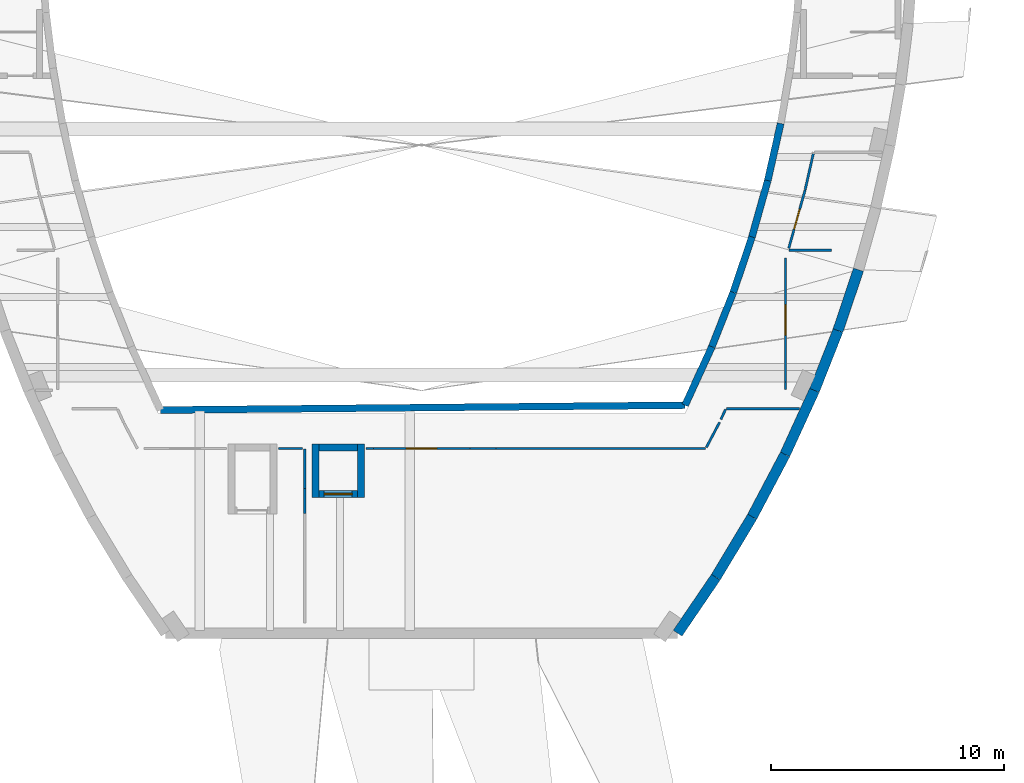
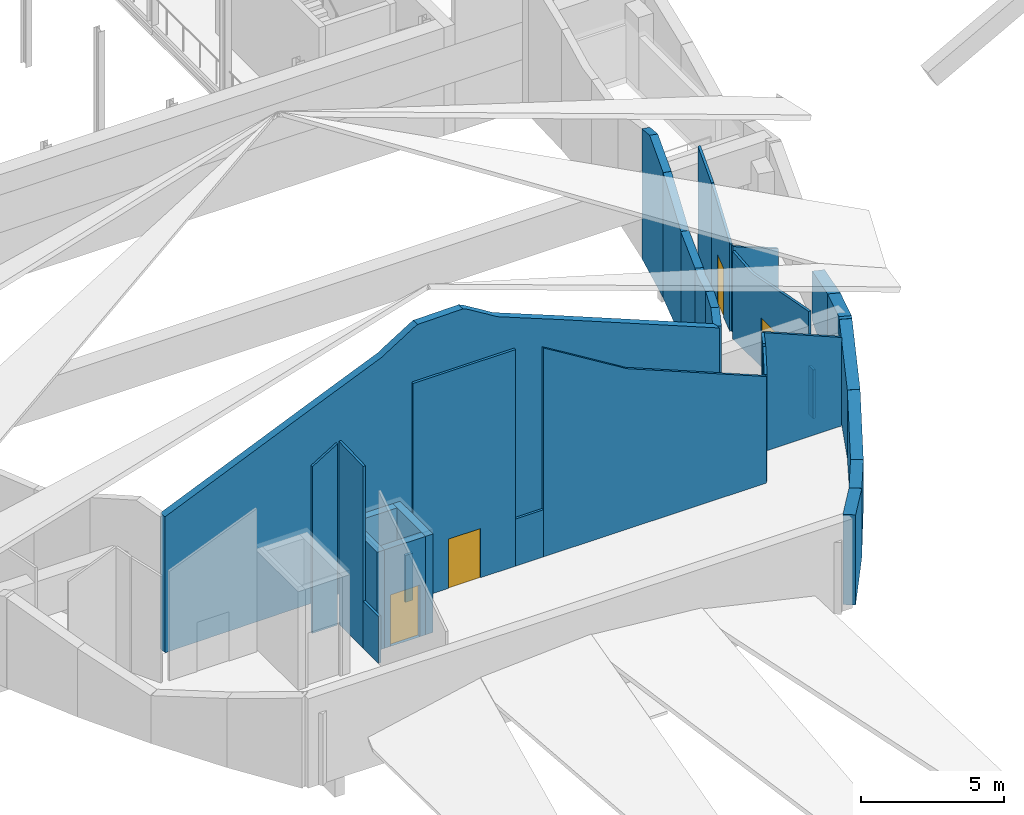
# One storey, part 13 of 17: 31 walls, 4 doors, 4 openings.
"""IFC4 building model written with IfcOpenShell, lengths in metres."""

from ifc_helpers import new_model, si_unit, direction, frame, frame_2d, origin, place, context, subcontext, project, spatial, polyline, rectangle, outline, extrude, material, layer, layer_set, type_object, element, fill, save


model = new_model("IFC4")

# Units and contexts
model_context = context("Model", 3, precision=1e-05, world=origin(), true_north=direction((0.0, 1.0)))
body_context = subcontext(model_context, "Body", "Model", "MODEL_VIEW")
ifc_project = project(units=[si_unit("LENGTHUNIT", "METRE"), si_unit("AREAUNIT", "SQUARE_METRE"), si_unit("VOLUMEUNIT", "CUBIC_METRE"), si_unit("PLANEANGLEUNIT", "RADIAN"), si_unit("MASSUNIT", "GRAM", prefix="KILO")], contexts=[model_context])

# Site, building, storey
site_placement = place(None, origin())
site = spatial("IfcSite", under=ifc_project, at=site_placement, CompositionType="ELEMENT")
building_placement = place(site_placement, origin())
building = spatial("IfcBuilding", under=site, at=building_placement, Name="Tide Square Theatres", CompositionType="ELEMENT")
storey_placement = place(building_placement, frame((0.0, 0.0, 14.800048828125)))
storey = spatial("IfcBuildingStorey", under=building, at=storey_placement, Name="L03", CompositionType="ELEMENT", Elevation=14.800048828125)

# Walls
ifc_material_1 = material(Name="Gypsum board on steel studs", Category="steel")
ifc_layer_1 = layer(ifc_material_1, 0.10009765625)
ifc_layer_set_1 = layer_set([ifc_layer_1], Name="Gypsum board on steel studs")
wall_type_1 = type_object("IfcWallType", Name="Partition 100 thick", PredefinedType="PARTITIONING", material=ifc_layer_set_1)
wall_1_placement = place(storey_placement, frame((77.8701171875, 31.5, 0.0), z_axis=(0.0, 0.0, 1.0), x_axis=(1.0, 0.0, 0.0)))
element("IfcWall", 1, at=wall_1_placement, inside=storey, type_object=wall_type_1, Name="Partition", PredefinedType="PARTITIONING", context=body_context, shape_type="SweptSolid", body=[
    extrude(outline(polyline([(0.0, 0.0), (1.017578125, 0.0), (1.01806640625, 7.73193359375), (0.762939453125, 7.575927734375), (0.509033203125, 7.419921875), (0.25390625, 7.263916015625), (0.0, 7.10791015625), (0.0, 0.0)])), frame((0.0, 0.050048828125, 0.0), z_axis=(0.0, -1.0, 0.0), x_axis=(1.0, 0.0, 0.0)), (0.0, 0.0, 1.0), 0.10009765625),
])
wall_2_placement = place(storey_placement, frame((79.0, 31.47998046875, 0.0), z_axis=(0.0, 0.0, 1.0), x_axis=(0.0, -1.0, 0.0)))
element("IfcWall", 2, at=wall_2_placement, inside=storey, type_object=wall_type_1, Name="Partition", PredefinedType="PARTITIONING", context=body_context, shape_type="SweptSolid", body=[
    extrude(outline(polyline([(0.0, 0.0), (1.69921875, 0.0), (1.698974609375, 7.7490234375), (1.416015625, 7.759033203125), (1.133056640625, 7.77001953125), (0.85009765625, 7.780029296875), (0.56591796875, 7.787841796875), (0.282958984375, 7.7939453125), (0.0, 7.800048828125), (0.0, 0.0)])), frame((0.0, 0.050048828125, 0.0), z_axis=(0.0, -1.0, 0.0), x_axis=(1.0, 0.0, 0.0)), (0.0, 0.0, 1.0), 0.10009765625),
])
wall_3_placement = place(storey_placement, frame((79.0, 29.78076171875, 0.0), z_axis=(0.0, 0.0, 1.0), x_axis=(0.0, -1.0, 0.0)))
element("IfcWall", 3, at=wall_3_placement, inside=storey, type_object=wall_type_1, Name="Partition", PredefinedType="PARTITIONING", context=body_context, shape_type="SweptSolid", body=[
    extrude(rectangle(XDim=1.061767578125, YDim=0.10009765625, at=frame_2d((0.53076171875, 0.0))), origin(), (0.0, 0.0, 1.0), 2.008056640625),
])
wall_4_placement = place(storey_placement, frame((81.6201171875, 31.5, 0.0), z_axis=(0.0, 0.0, 1.0), x_axis=(1.0, 0.0, 0.0)))
element("IfcWall", 4, at=wall_4_placement, inside=storey, type_object=wall_type_1, Name="Partition", PredefinedType="PARTITIONING", context=body_context, shape_type="SweptSolid", body=[
    extrude(rectangle(XDim=0.31396484375, YDim=0.10009765625, at=frame_2d((0.156982421875, 0.0))), origin(), (0.0, 0.0, 1.0), 2.008056640625),
])

# Wall, opening, door
wall_5_placement = place(storey_placement, frame((81.93408203125, 31.5, 0.0), z_axis=(0.0, 0.0, 1.0), x_axis=(1.0, 0.0, 0.0)))
wall_5 = element("IfcWall", 5, at=wall_5_placement, inside=storey, type_object=wall_type_1, Name="Partition", PredefinedType="PARTITIONING", context=body_context, shape_type="SweptSolid", body=[
    extrude(outline(polyline([(0.0, 0.0), (4.1318359375, 0.0), (4.132080078125, 9.23583984375), (3.8740234375, 9.23583984375), (3.614990234375, 9.23583984375), (3.35693359375, 9.23583984375), (3.09912109375, 9.23583984375), (2.841064453125, 9.23583984375), (2.58203125, 9.23583984375), (2.323974609375, 9.23583984375), (2.06591796875, 9.23583984375), (1.80810546875, 9.23583984375), (1.549072265625, 9.23583984375), (1.291015625, 9.23583984375), (1.032958984375, 9.23583984375), (0.77490234375, 9.23583984375), (0.51611328125, 9.23583984375), (0.258056640625, 9.23583984375), (0.0, 9.23583984375), (0.0, 0.0)])), frame((0.0, 0.050048828125, 0.0), z_axis=(0.0, -1.0, 0.0), x_axis=(1.0, 0.0, 0.0)), (0.0, 0.0, 1.0), 0.10009765625),
])
opening_1_placement = place(wall_5_placement, frame((1.415771484375, 0.0, 0.0)))
opening_1 = element("IfcOpeningElement", 6, at=opening_1_placement, cuts=wall_5, Name="Opening M03-07", PredefinedType="OPENING", context=body_context, shape_type="SweptSolid", body=[
    extrude(rectangle(XDim=1.300048828125, YDim=2.10009765625, at=frame_2d((0.64990234375, 1.050048828125))), frame((0.0, 0.06005859375, 0.0), z_axis=(0.0, -1.0, 0.0), x_axis=(1.0, 0.0, 0.0)), (0.0, 0.0, 1.0), 0.1201171875),
])
ifc_material_2 = material(Name="Hardwood timber", Category="wood")
door_type_1 = type_object("IfcDoorType", Name="Door 1300 x 2100 double leaf", OperationType="DOUBLE_DOOR_SINGLE_SWING", PredefinedType="DOOR", material=ifc_material_2)
door_1_placement = place(opening_1_placement, origin())
door_1 = element("IfcDoor", 7, at=door_1_placement, inside=storey, type_object=door_type_1, Name="Switch Room door", OperationType="DOUBLE_DOOR_SINGLE_SWING", OverallHeight=2.10009765625, OverallWidth=1.300048828125, PredefinedType="DOOR", context=body_context, shape_type="SweptSolid", body=[
    extrude(rectangle(XDim=1.300048828125, YDim=2.10009765625, at=frame_2d((0.64990234375, 1.050048828125))), frame((0.0, 0.02490234375, 0.0), z_axis=(0.0, -1.0, 0.0), x_axis=(1.0, 0.0, 0.0)), (0.0, 0.0, 1.0), 0.050048828125),
])
fill(opening_1, door_1)

# Walls
wall_6_placement = place(storey_placement, frame((86.06591796875, 31.5, 0.0), z_axis=(0.0, 0.0, 1.0), x_axis=(1.0, 0.0, 0.0)))
element("IfcWall", 8, at=wall_6_placement, inside=storey, type_object=wall_type_1, Name="Partition", PredefinedType="PARTITIONING", context=body_context, shape_type="SweptSolid", body=[
    extrude(rectangle(XDim=1.12451171875, YDim=0.10009765625, at=frame_2d((0.562255859375, 0.0))), origin(), (0.0, 0.0, 1.0), 2.008056640625),
])
wall_7_placement = place(storey_placement, frame((87.1904296875, 31.5, 0.0), z_axis=(0.0, 0.0, 1.0), x_axis=(1.0, 0.0, 0.0)))
element("IfcWall", 9, at=wall_7_placement, inside=storey, type_object=wall_type_1, Name="Partition", PredefinedType="PARTITIONING", context=body_context, shape_type="SweptSolid", body=[
    extrude(outline(polyline([(0.0, 0.0), (8.98876953125, 0.0), (8.989013671875, 4.541015625), (8.73193359375, 4.64599609375), (8.47509765625, 4.751953125), (8.218017578125, 4.85693359375), (7.9609375, 4.9619140625), (7.705078125, 5.06689453125), (7.447998046875, 5.1728515625), (7.19091796875, 5.27783203125), (6.93408203125, 5.383056640625), (6.677001953125, 5.488037109375), (6.419921875, 5.593994140625), (6.1640625, 5.698974609375), (5.906982421875, 5.803955078125), (5.64990234375, 5.908935546875), (5.39306640625, 6.014892578125), (5.135986328125, 6.119873046875), (4.8798828125, 6.224853515625), (4.623046875, 6.329833984375), (4.365966796875, 6.43603515625), (4.10888671875, 6.541015625), (3.85205078125, 6.64599609375), (3.594970703125, 6.7509765625), (3.339111328125, 6.85693359375), (3.08203125, 7.02001953125), (2.824951171875, 7.177978515625), (2.568115234375, 7.3349609375), (2.31103515625, 7.492919921875), (2.054931640625, 7.64990234375), (1.798095703125, 7.807861328125), (1.541015625, 7.96484375), (1.283935546875, 8.123046875), (1.027099609375, 8.280029296875), (0.77001953125, 8.43798828125), (0.513916015625, 8.593994140625), (0.257080078125, 8.7490234375), (0.0, 8.904052734375), (0.0, 0.0)])), frame((0.0, 0.050048828125, 0.0), z_axis=(0.0, -1.0, 0.0), x_axis=(1.0, 0.0, 0.0)), (0.0, 0.0, 1.0), 0.10009765625),
])
wall_8_placement = place(storey_placement, frame((96.203125, 31.544677734375, 0.0), z_axis=(0.0, 0.0, 1.0), x_axis=(0.466814963205, 0.884355013627, 0.0)))
element("IfcWall", 10, at=wall_8_placement, inside=storey, type_object=wall_type_1, Name="Partition", PredefinedType="PARTITIONING", context=body_context, shape_type="SweptSolid", body=[
    extrude(outline(polyline([(0.0, 0.0), (1.223876953125, 0.0), (1.22412109375, 4.891845703125), (0.91796875, 4.81103515625), (0.612060546875, 4.73095703125), (0.305908203125, 4.64697265625), (0.0, 4.555908203125), (0.0, 0.0)])), frame((0.0, 0.050048828125, 0.0), z_axis=(0.0, -1.0, 0.0), x_axis=(1.0, 0.0, 0.0)), (0.0, 0.0, 1.0), 0.10009765625),
])
wall_9_placement = place(storey_placement, frame((96.828857421875, 32.74560546875, 0.0), z_axis=(0.0, 0.0, 1.0), x_axis=(0.416272443585, 0.909239931323, 0.0)))
element("IfcWall", 11, at=wall_9_placement, inside=storey, type_object=wall_type_1, Name="Partition", PredefinedType="PARTITIONING", context=body_context, shape_type="SweptSolid", body=[
    extrude(outline(polyline([(0.0, 0.0), (0.48388671875, 0.0), (0.48388671875, 5.074951171875), (0.241943359375, 5.0029296875), (0.0, 4.930908203125), (0.0, 0.0)])), frame((0.0, 0.050048828125, 0.0), z_axis=(0.0, -1.0, 0.0), x_axis=(1.0, 0.0, 0.0)), (0.0, 0.0, 1.0), 0.10009765625),
])
wall_10_placement = place(storey_placement, frame((97.0625, 33.199951171875, 0.0), z_axis=(0.0, 0.0, 1.0), x_axis=(1.0, 0.0, 0.0)))
element("IfcWall", 12, at=wall_10_placement, inside=storey, type_object=wall_type_1, Name="Partition", PredefinedType="PARTITIONING", context=body_context, shape_type="SweptSolid", body=[
    extrude(outline(polyline([(0.0, 0.0), (3.123779296875, 0.0), (3.134033203125, 3.77001953125), (2.873046875, 3.8779296875), (2.611083984375, 3.987060546875), (2.35009765625, 4.094970703125), (2.089111328125, 4.203857421875), (1.827880859375, 4.31298828125), (1.56689453125, 4.4208984375), (1.305908203125, 4.530029296875), (1.044921875, 4.638916015625), (0.782958984375, 4.7470703125), (0.52197265625, 4.85595703125), (0.260986328125, 4.96484375), (0.0, 5.072998046875), (0.0, 0.0)])), frame((0.0, 0.050048828125, 0.0), z_axis=(0.0, -1.0, 0.0), x_axis=(1.0, 0.0, 0.0)), (0.0, 0.0, 1.0), 0.10009765625),
])
wall_11_placement = place(storey_placement, frame((99.60009765625, 34.023193359375, 0.0), z_axis=(0.0, 0.0, 1.0), x_axis=(0.0, 1.0, 0.0)))
element("IfcWall", 13, at=wall_11_placement, inside=storey, type_object=wall_type_1, Name="Partition", PredefinedType="PARTITIONING", context=body_context, shape_type="SweptSolid", body=[
    extrude(rectangle(XDim=0.320068359375, YDim=0.10009765625, at=frame_2d((0.16015625, 0.0))), origin(), (0.0, 0.0, 1.0), 2.074951171875),
])

# Wall, opening, door
wall_12_placement = place(storey_placement, frame((99.60009765625, 34.34326171875, 0.0), z_axis=(0.0, 0.0, 1.0), x_axis=(0.0, 1.0, 0.0)))
wall_12 = element("IfcWall", 14, at=wall_12_placement, inside=storey, type_object=wall_type_1, Name="Partition", PredefinedType="PARTITIONING", context=body_context, shape_type="SweptSolid", body=[
    extrude(outline(polyline([(0.0, 0.0), (5.32421875, 0.0), (5.323974609375, 3.724853515625), (5.071044921875, 3.700927734375), (4.81689453125, 3.677001953125), (4.56396484375, 3.65283203125), (4.31005859375, 3.62890625), (4.056884765625, 3.60498046875), (3.802978515625, 3.6298828125), (3.550048828125, 3.682861328125), (3.2958984375, 3.73486328125), (3.04296875, 3.786865234375), (2.7890625, 3.8388671875), (2.534912109375, 3.890869140625), (2.281982421875, 3.94384765625), (2.028076171875, 3.995849609375), (1.77490234375, 4.046875), (1.52099609375, 4.093994140625), (1.26806640625, 4.141845703125), (1.013916015625, 4.18896484375), (0.760986328125, 4.237060546875), (0.507080078125, 4.283935546875), (0.25390625, 4.33203125), (0.0, 4.37890625), (0.0, 0.0)])), frame((0.0, 0.050048828125, 0.0), z_axis=(0.0, -1.0, 0.0), x_axis=(1.0, 0.0, 0.0)), (0.0, 0.0, 1.0), 0.10009765625),
])
opening_2_placement = place(wall_12_placement, frame((2.01220703125, 0.0, 0.0)))
opening_2 = element("IfcOpeningElement", 15, at=opening_2_placement, cuts=wall_12, Name="Opening M03-09", PredefinedType="OPENING", context=body_context, shape_type="SweptSolid", body=[
    extrude(rectangle(XDim=1.300048828125, YDim=2.10009765625, at=frame_2d((0.64990234375, 1.050048828125))), frame((0.0, 0.06005859375, 0.0), z_axis=(0.0, -1.0, 0.0), x_axis=(1.0, 0.0, 0.0)), (0.0, 0.0, 1.0), 0.1201171875),
])
door_2_placement = place(opening_2_placement, origin())
door_2 = element("IfcDoor", 16, at=door_2_placement, inside=storey, type_object=door_type_1, Name="Props Store door", OperationType="DOUBLE_DOOR_SINGLE_SWING", OverallHeight=2.10009765625, OverallWidth=1.300048828125, PredefinedType="DOOR", context=body_context, shape_type="SweptSolid", body=[
    extrude(rectangle(XDim=1.300048828125, YDim=2.10009765625, at=frame_2d((0.64990234375, 1.050048828125))), frame((0.0, 0.02490234375, 0.0), z_axis=(0.0, -1.0, 0.0), x_axis=(1.0, 0.0, 0.0)), (0.0, 0.0, 1.0), 0.050048828125),
])
fill(opening_2, door_2)

wall_13_placement = place(storey_placement, frame((99.7373046875, 40.082763671875, 0.0), z_axis=(0.0, 0.0, 1.0), x_axis=(0.269965324676, 0.962870044955, 0.0)))
wall_13 = element("IfcWall", 17, at=wall_13_placement, inside=storey, type_object=wall_type_1, Name="Partition", PredefinedType="PARTITIONING", context=body_context, shape_type="SweptSolid", body=[
    extrude(outline(polyline([(0.0, 0.0), (2.591796875, 0.0), (2.592041015625, 4.552978515625), (2.3330078125, 4.473876953125), (2.072998046875, 4.389892578125), (1.81396484375, 4.304931640625), (1.554931640625, 4.220947265625), (1.2958984375, 4.135986328125), (1.037109375, 4.051025390625), (0.778076171875, 3.966064453125), (0.51806640625, 3.8818359375), (0.259033203125, 3.796875), (0.0, 3.7119140625), (0.0, 0.0)])), frame((0.0, 0.050048828125, 0.0), z_axis=(0.0, -1.0, 0.0), x_axis=(1.0, 0.0, 0.0)), (0.0, 0.0, 1.0), 0.10009765625),
])
opening_3_placement = place(wall_13_placement, frame((0.845947265625, 0.0, 0.0)))
opening_3 = element("IfcOpeningElement", 18, at=opening_3_placement, cuts=wall_13, Name="Opening M03-11", PredefinedType="OPENING", context=body_context, shape_type="SweptSolid", body=[
    extrude(rectangle(XDim=0.89990234375, YDim=2.10009765625, at=frame_2d((0.449951171875, 1.050048828125))), frame((0.0, 0.06005859375, 0.0), z_axis=(0.0, -1.0, 0.0), x_axis=(1.0, 0.0, 0.0)), (0.0, 0.0, 1.0), 0.1201171875),
])
ifc_material_3 = material(Name="Hardwood timber", Category="wood")
door_type_2 = type_object("IfcDoorType", Name="Door 900 x 2100 single leaf", OperationType="NOTDEFINED", PredefinedType="DOOR", material=ifc_material_3)
door_3_placement = place(opening_3_placement, frame((0.89990234375, 0.0, 0.0), z_axis=(0.0, 0.0, 1.0), x_axis=(-1.0, 0.0, 0.0)))
door_3 = element("IfcDoor", 19, at=door_3_placement, inside=storey, type_object=door_type_2, Name="Costume Store door", OperationType="SINGLE_SWING_LEFT", OverallHeight=2.10009765625, OverallWidth=0.89990234375, PredefinedType="DOOR", context=body_context, shape_type="SweptSolid", body=[
    extrude(rectangle(XDim=0.89990234375, YDim=2.10009765625, at=frame_2d((0.449951171875, 1.050048828125))), frame((0.0, 0.02490234375, 0.0), z_axis=(0.0, -1.0, 0.0), x_axis=(1.0, 0.0, 0.0)), (0.0, 0.0, 1.0), 0.050048828125),
])
fill(opening_3, door_3)

# Walls
wall_14_placement = place(storey_placement, frame((99.7373046875, 40.0, 0.0), z_axis=(0.0, 0.0, 1.0), x_axis=(1.0, 0.0, 0.0)))
element("IfcWall", 20, at=wall_14_placement, inside=storey, type_object=wall_type_1, Name="Partition", PredefinedType="PARTITIONING", context=body_context, shape_type="SweptSolid", body=[
    extrude(outline(polyline([(0.0, 0.0), (1.827880859375, 0.0), (1.827880859375, 2.952880859375), (1.56689453125, 3.055908203125), (1.305908203125, 3.158935546875), (1.0439453125, 3.261962890625), (0.782958984375, 3.364990234375), (0.52197265625, 3.468017578125), (0.260986328125, 3.572021484375), (0.0, 3.68798828125), (0.0, 0.0)])), frame((0.0, 0.050048828125, 0.0), z_axis=(0.0, -1.0, 0.0), x_axis=(1.0, 0.0, 0.0)), (0.0, 0.0, 1.0), 0.10009765625),
])
wall_15_placement = place(storey_placement, frame((100.43994140625, 42.590576171875, 0.0), z_axis=(0.0, 0.0, 1.0), x_axis=(0.220275065081, 0.975437796942, 0.0)))
element("IfcWall", 21, at=wall_15_placement, inside=storey, type_object=wall_type_1, Name="Partition", PredefinedType="PARTITIONING", context=body_context, shape_type="SweptSolid", body=[
    extrude(outline(polyline([(0.0, 0.0), (1.583740234375, 0.0), (1.583984375, 5.074951171875), (1.320068359375, 4.988037109375), (1.055908203125, 4.90185546875), (0.7919921875, 4.81591796875), (0.528076171875, 4.72900390625), (0.263916015625, 4.64306640625), (0.0, 4.556884765625), (0.0, 0.0)])), frame((0.0, 0.050048828125, 0.0), z_axis=(0.0, -1.0, 0.0), x_axis=(1.0, 0.0, 0.0)), (0.0, 0.0, 1.0), 0.10009765625),
])
ifc_material_4 = material(Name="Concrete C40", Category="concrete")
ifc_layer_2 = layer(ifc_material_4, 0.449951171875)
ifc_layer_set_2 = layer_set([ifc_layer_2], Name="Concrete C40")
wall_type_2 = type_object("IfcWallType", Name="RC curved wall 450 thick", PredefinedType="SOLIDWALL", material=ifc_layer_set_2)
wall_16_placement = place(storey_placement, frame((94.97412109375, 23.58251953125, 0.0), z_axis=(0.0, 0.0, 1.0), x_axis=(0.5629642644, 0.826481238147, 0.0)))
element("IfcWall", 22, at=wall_16_placement, inside=storey, type_object=wall_type_2, Name="Main Theatre perimeter wall", PredefinedType="SOLIDWALL", context=body_context, shape_type="SweptSolid", body=[
    extrude(outline(polyline([(0.0, 0.0), (2.908203125, 0.0), (2.908203125, 2.949462890625), (0.086181640625, 3.82275390625), (0.0, 3.849365234375), (0.0, 0.0)])), frame((0.0, 0.22509765625, 0.0), z_axis=(0.0, -1.0, 0.0), x_axis=(1.0, 0.0, 0.0)), (0.0, 0.0, 1.0), 0.449951171875),
])
wall_17_placement = place(storey_placement, frame((96.611328125, 25.986083984375, 0.0), z_axis=(0.0, 0.0, 1.0), x_axis=(0.515636119523, 0.856807675177, 0.0)))
element("IfcWall", 23, at=wall_17_placement, inside=storey, type_object=wall_type_2, Name="Main Theatre perimeter wall", PredefinedType="SOLIDWALL", context=body_context, shape_type="SweptSolid", body=[
    extrude(outline(polyline([(0.0, 0.0), (3.021240234375, 0.0), (3.02099609375, 2.044677734375), (2.980712890625, 2.056640625), (0.0, 2.944580078125), (0.0, 0.0)])), frame((0.0, 0.22509765625, 0.0), z_axis=(0.0, -1.0, 0.0), x_axis=(1.0, 0.0, 0.0)), (0.0, 0.0, 1.0), 0.449951171875),
])
wall_18_placement = place(storey_placement, frame((98.169189453125, 28.57470703125, 0.0), z_axis=(0.0, 0.0, 1.0), x_axis=(0.466728769487, 0.884400506407, 0.0)))
element("IfcWall", 24, at=wall_18_placement, inside=storey, type_object=wall_type_2, Name="Main Theatre perimeter wall", PredefinedType="SOLIDWALL", context=body_context, shape_type="SweptSolid", body=[
    extrude(outline(polyline([(0.0, 0.0), (3.020751953125, 0.0), (3.02099609375, 2.91748046875), (2.948486328125, 2.89599609375), (0.0, 2.041015625), (0.0, 0.0)])), frame((0.0, 0.22509765625, 0.0), z_axis=(0.0, -1.0, 0.0), x_axis=(1.0, 0.0, 0.0)), (0.0, 0.0, 1.0), 0.449951171875),
])
wall_19_placement = place(storey_placement, frame((99.5791015625, 31.246337890625, 0.0), z_axis=(0.0, 0.0, 1.0), x_axis=(0.416407051835, 0.909178292296, 0.0)))
element("IfcWall", 25, at=wall_19_placement, inside=storey, type_object=wall_type_2, Name="Main Theatre perimeter wall", PredefinedType="SOLIDWALL", context=body_context, shape_type="SweptSolid", body=[
    extrude(outline(polyline([(0.0, 0.0), (3.021240234375, 0.0), (3.021240234375, 3.826171875), (2.921630859375, 3.79638671875), (2.818603515625, 3.765869140625), (0.05859375, 2.94091796875), (0.0, 2.92138671875), (0.0, 0.0)])), frame((0.0, 0.22509765625, 0.0), z_axis=(0.0, -1.0, 0.0), x_axis=(1.0, 0.0, 0.0)), (0.0, 0.0, 1.0), 0.449951171875),
])
wall_20_placement = place(storey_placement, frame((100.837158203125, 33.9931640625, 0.0), z_axis=(0.0, 0.0, 1.0), x_axis=(0.366920100653, 0.930252460215, 0.0)))
element("IfcWall", 26, at=wall_20_placement, inside=storey, type_object=wall_type_2, Name="Main Theatre perimeter wall", PredefinedType="SOLIDWALL", context=body_context, shape_type="SweptSolid", body=[
    extrude(outline(polyline([(0.0, 0.0), (2.751953125, 0.0), (2.751953125, 3.008544921875), (2.623779296875, 3.050537109375), (0.186279296875, 3.84765625), (0.097412109375, 3.876708984375), (0.0, 3.829833984375), (0.0, 0.0)])), frame((0.0, 0.22509765625, 0.0), z_axis=(0.0, -1.0, 0.0), x_axis=(1.0, 0.0, 0.0)), (0.0, 0.0, 1.0), 0.449951171875),
])
wall_21_placement = place(storey_placement, frame((101.846923828125, 36.55322265625, 0.0), z_axis=(0.0, 0.0, 1.0), x_axis=(0.318887614688, 0.947792534893, 0.0)))
element("IfcWall", 27, at=wall_21_placement, inside=storey, type_object=wall_type_2, Name="Main Theatre perimeter wall", PredefinedType="SOLIDWALL", context=body_context, shape_type="SweptSolid", body=[
    extrude(outline(polyline([(0.0, 0.0), (2.75244140625, 0.0), (2.752197265625, 2.106201171875), (2.74169921875, 2.10986328125), (2.600341796875, 2.156005859375), (0.113525390625, 2.96923828125), (0.0, 3.0048828125), (0.0, 0.0)])), frame((0.0, 0.22509765625, 0.0), z_axis=(0.0, -1.0, 0.0), x_axis=(1.0, 0.0, 0.0)), (0.0, 0.0, 1.0), 0.449951171875),
])
ifc_material_5 = material(Name="Concrete C40", Category="concrete")
ifc_layer_3 = layer(ifc_material_5, 0.300048828125)
ifc_layer_set_3 = layer_set([ifc_layer_3], Name="Concrete C40")
wall_type_3 = type_object("IfcWallType", Name="RC shear wall 300 thick", PredefinedType="SHEAR", material=ifc_layer_set_3)
wall_22_placement = place(storey_placement, frame((72.815185546875, 33.14990234375, 0.0), z_axis=(0.0, 0.0, 1.0), x_axis=(0.999957788763, 0.009188073348, 0.0)))
element("IfcWall", 28, at=wall_22_placement, inside=storey, type_object=wall_type_3, Name="Main Theatre auditorium wall", PredefinedType="SHEAR", context=body_context, shape_type="SweptSolid", body=[
    extrude(outline(polyline([(0.0, 0.0), (22.4794921875, 0.0), (22.479248046875, 5.857666015625), (15.98486328125, 8.5283203125), (15.177490234375, 8.8525390625), (14.370361328125, 9.17919921875), (13.4580078125, 9.54833984375), (13.076416015625, 9.79052734375), (12.694580078125, 10.0244140625), (12.566650390625, 10.10302734375), (12.3349609375, 10.24365234375), (12.236083984375, 10.303466796875), (12.080810546875, 10.36962890625), (11.9912109375, 10.369140625), (11.925537109375, 10.36865234375), (11.8359375, 10.3681640625), (11.680908203125, 10.3671875), (10.6826171875, 10.36083984375), (10.521728515625, 10.35986328125), (10.43310546875, 10.359375), (10.360595703125, 10.35888671875), (10.242919921875, 10.358154296875), (10.111083984375, 10.290283203125), (10.001708984375, 10.22412109375), (9.760498046875, 10.07763671875), (9.604248046875, 9.978271484375), (9.200927734375, 9.734375), (8.797607421875, 9.478759765625), (7.6533203125, 9.004150390625), (6.75439453125, 8.631103515625), (5.85546875, 8.258056640625), (0.0, 5.79736328125), (0.0, 0.0)])), frame((0.0, 0.14990234375, 0.0), z_axis=(0.0, -1.0, 0.0), x_axis=(1.0, 0.0, 0.0)), (0.0, 0.0, 1.0), 0.300048828125),
])
wall_23_placement = place(storey_placement, frame((95.293701171875, 33.3564453125, 0.0), z_axis=(0.0, 0.0, 1.0), x_axis=(0.416368255987, 0.909196059938, 0.0)))
element("IfcWall", 29, at=wall_23_placement, inside=storey, type_object=wall_type_3, Name="Main Theatre auditorium wall", PredefinedType="SHEAR", context=body_context, shape_type="SweptSolid", body=[
    extrude(outline(polyline([(0.0, 0.0), (2.7587890625, 0.0), (2.7587890625, 5.411865234375), (2.65673828125, 5.44775390625), (2.560302734375, 5.48095703125), (0.868896484375, 6.06201171875), (0.80029296875, 6.085693359375), (0.7314453125, 6.064697265625), (0.66943359375, 6.04638671875), (0.600830078125, 6.02587890625), (0.531982421875, 6.00537109375), (0.0, 5.846923828125), (0.0, 0.0)])), frame((0.0, 0.14990234375, 0.0), z_axis=(0.0, -1.0, 0.0), x_axis=(1.0, 0.0, 0.0)), (0.0, 0.0, 1.0), 0.300048828125),
])
wall_24_placement = place(storey_placement, frame((96.4423828125, 35.86474609375, 0.0), z_axis=(0.0, 0.0, 1.0), x_axis=(0.366944326543, 0.930242904417, 0.0)))
element("IfcWall", 30, at=wall_24_placement, inside=storey, type_object=wall_type_3, Name="Main Theatre auditorium wall", PredefinedType="SHEAR", context=body_context, shape_type="SweptSolid", body=[
    extrude(outline(polyline([(0.0, 0.0), (2.501708984375, 0.0), (2.50146484375, 4.67236328125), (1.998291015625, 4.72314453125), (1.885498046875, 4.761962890625), (1.772705078125, 4.800537109375), (0.0, 5.4091796875), (0.0, 0.0)])), frame((0.0, 0.14990234375, 0.0), z_axis=(0.0, -1.0, 0.0), x_axis=(1.0, 0.0, 0.0)), (0.0, 0.0, 1.0), 0.300048828125),
])
wall_25_placement = place(storey_placement, frame((97.3603515625, 38.19189453125, 0.0), z_axis=(0.0, 0.0, 1.0), x_axis=(0.318855282586, 0.947803412511, 0.0)))
element("IfcWall", 31, at=wall_25_placement, inside=storey, type_object=wall_type_3, Name="Main Theatre auditorium wall", PredefinedType="SHEAR", context=body_context, shape_type="SweptSolid", body=[
    extrude(outline(polyline([(0.0, 0.0), (2.507568359375, 0.0), (2.5078125, 4.526611328125), (2.3984375, 4.5078125), (0.0, 4.671630859375), (0.0, 0.0)])), frame((0.0, 0.14990234375, 0.0), z_axis=(0.0, -1.0, 0.0), x_axis=(1.0, 0.0, 0.0)), (0.0, 0.0, 1.0), 0.300048828125),
])
wall_26_placement = place(storey_placement, frame((98.159912109375, 40.568603515625, 0.0), z_axis=(0.0, 0.0, 1.0), x_axis=(0.269947665913, 0.962874995868, 0.0)))
element("IfcWall", 32, at=wall_26_placement, inside=storey, type_object=wall_type_3, Name="Main Theatre auditorium wall", PredefinedType="SHEAR", context=body_context, shape_type="SweptSolid", body=[
    extrude(outline(polyline([(0.0, 0.0), (2.5078125, 0.0), (2.5078125, 5.337646484375), (1.954345703125, 5.16796875), (0.0, 4.529052734375), (0.0, 0.0)])), frame((0.0, 0.14990234375, 0.0), z_axis=(0.0, -1.0, 0.0), x_axis=(1.0, 0.0, 0.0)), (0.0, 0.0, 1.0), 0.300048828125),
])
wall_27_placement = place(storey_placement, frame((98.8369140625, 42.9833984375, 0.0), z_axis=(0.0, 0.0, 1.0), x_axis=(0.220389232345, 0.975412008469, 0.0)))
element("IfcWall", 33, at=wall_27_placement, inside=storey, type_object=wall_type_3, Name="Main Theatre auditorium wall", PredefinedType="SHEAR", context=body_context, shape_type="SweptSolid", body=[
    extrude(outline(polyline([(0.0, 0.0), (2.51025390625, 0.0), (2.51025390625, 5.537109375), (1.664306640625, 5.839599609375), (1.5966796875, 5.86376953125), (1.506103515625, 5.832763671875), (1.4384765625, 5.810546875), (0.0, 5.340087890625), (0.0, 0.0)])), frame((0.0, 0.14990234375, 0.0), z_axis=(0.0, -1.0, 0.0), x_axis=(1.0, 0.0, 0.0)), (0.0, 0.0, 1.0), 0.300048828125),
])

# Wall, opening, door
wall_28_placement = place(storey_placement, frame((79.60009765625, 29.550048828125, 0.0), z_axis=(0.0, 0.0, 1.0), x_axis=(1.0, 0.0, 0.0)))
wall_28 = element("IfcWall", 34, at=wall_28_placement, inside=storey, type_object=wall_type_3, Name="Main Theatre lift 2 overrun wall", PredefinedType="SHEAR", context=body_context, shape_type="SweptSolid", body=[
    extrude(rectangle(XDim=1.64990234375, YDim=0.300048828125, at=frame_2d((0.824951171875, 0.0))), origin(), (0.0, 0.0, 1.0), 4.199951171875),
])
opening_4_placement = place(wall_28_placement, frame((0.22509765625, 0.0, 0.0)))
opening_4 = element("IfcOpeningElement", 35, at=opening_4_placement, cuts=wall_28, Name="Opening LD-M2-3", PredefinedType="OPENING", context=body_context, shape_type="SweptSolid", body=[
    extrude(rectangle(XDim=1.199951171875, YDim=2.199951171875, at=frame_2d((0.60009765625, 1.10009765625))), frame((0.0, 0.159912109375, 0.0), z_axis=(0.0, -1.0, 0.0), x_axis=(1.0, 0.0, 0.0)), (0.0, 0.0, 1.0), 0.320068359375),
])
ifc_material_6 = material(Name="Painted steel", Category="steel")
door_type_3 = type_object("IfcDoorType", Name="Door 1200 x 2200 sliding", OperationType="SLIDING_TO_LEFT", PredefinedType="DOOR", material=ifc_material_6)
door_4_placement = place(opening_4_placement, origin())
door_4 = element("IfcDoor", 36, at=door_4_placement, inside=storey, type_object=door_type_3, Name="Main Theatre Passenger Lift landing door L03", OperationType="SLIDING_TO_LEFT", OverallHeight=2.199951171875, OverallWidth=1.199951171875, PredefinedType="DOOR", context=body_context, shape_type="SweptSolid", body=[
    extrude(rectangle(XDim=1.199951171875, YDim=2.199951171875, at=frame_2d((0.60009765625, 1.10009765625))), frame((0.0, 0.02490234375, 0.0), z_axis=(0.0, -1.0, 0.0), x_axis=(1.0, 0.0, 0.0)), (0.0, 0.0, 1.0), 0.050048828125),
])
fill(opening_4, door_4)

# Walls
wall_29_placement = place(storey_placement, frame((81.25, 31.550048828125, 0.0), z_axis=(0.0, 0.0, 1.0), x_axis=(-1.0, 0.0, 0.0)))
element("IfcWall", 37, at=wall_29_placement, inside=storey, type_object=wall_type_3, Name="Main Theatre lift 2 overrun wall", PredefinedType="SHEAR", context=body_context, shape_type="SweptSolid", body=[
    extrude(rectangle(XDim=1.64990234375, YDim=0.300048828125, at=frame_2d((0.824951171875, 0.0))), origin(), (0.0, 0.0, 1.0), 4.199951171875),
])
for number, where, z_axis, x_axis, name in (
    (38, (79.449951171875, 31.699951171875, 0.0), (0.0, 0.0, 1.0), (0.0, -1.0, 0.0), "Main Theatre lift 2 overrun wall"),
    (39, (81.39990234375, 29.39990234375, 0.0), (0.0, 0.0, 1.0), (0.0, 1.0, 0.0), "Main Theatre lift 2 overrun wall"),
):
    element("IfcWall", number, at=place(storey_placement, frame(where, z_axis=z_axis, x_axis=x_axis)), inside=storey, type_object=wall_type_3, Name=name, PredefinedType="SHEAR", context=body_context, shape_type="SweptSolid", body=[
        extrude(rectangle(XDim=2.300048828125, YDim=0.300048828125, at=frame_2d((1.14990234375, 0.0))), origin(), (0.0, 0.0, 1.0), 4.199951171875),
    ])

save(model, "model.ifc")
